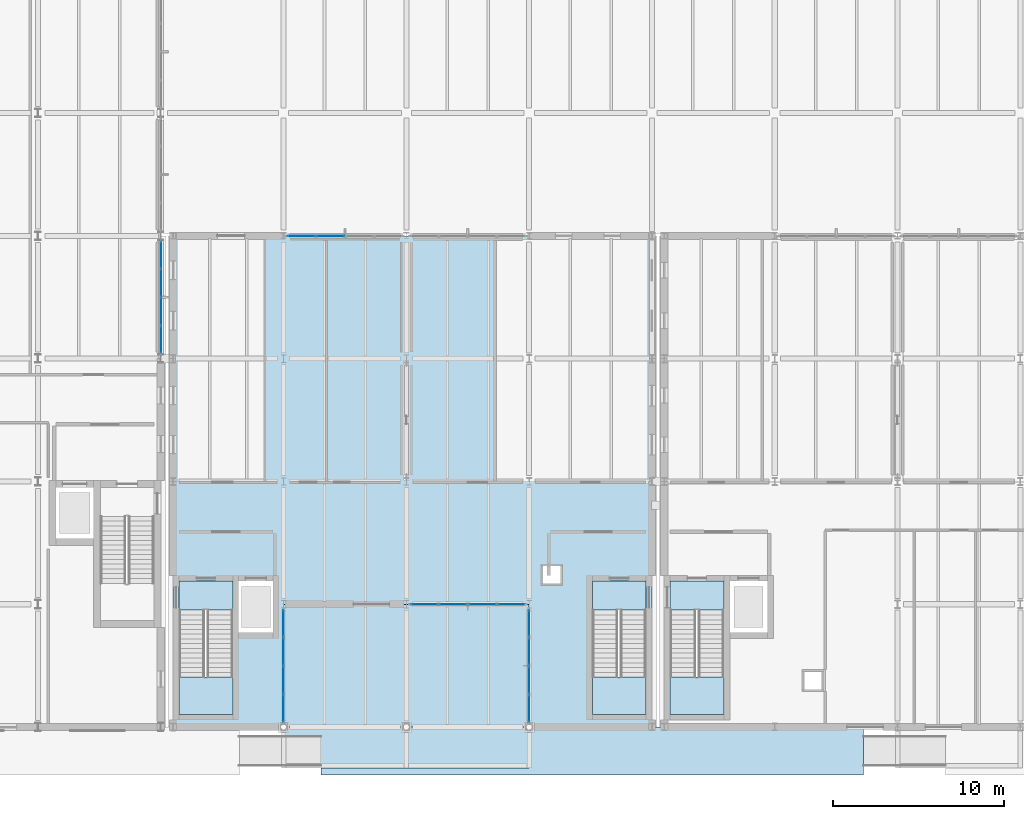
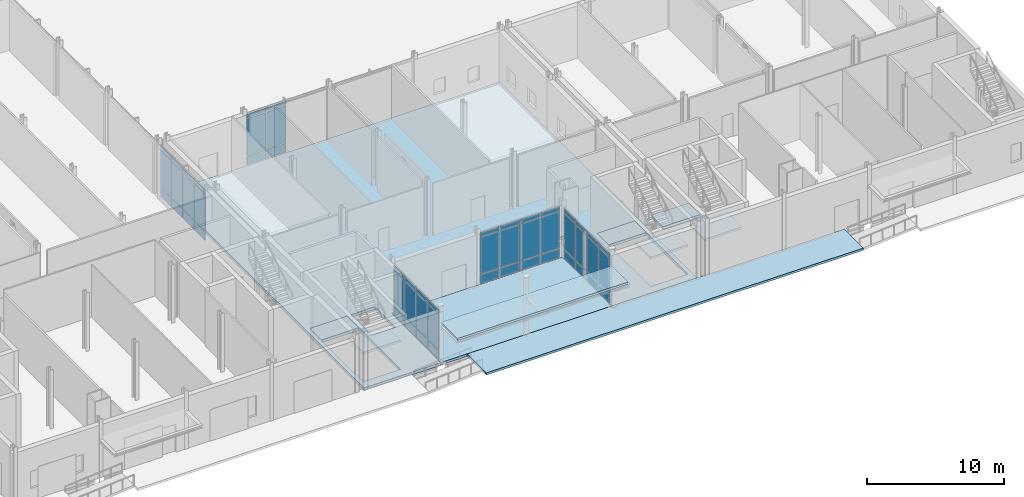
# One storey, part 40 of 89: 54 plates, 10 slabs, 8 elements without a shape of their own.
"""IFC4 building model written with IfcOpenShell, lengths in metres."""

from ifc_helpers import new_model, si_unit, direction, frame, origin, origin_2d, place, context, subcontext, project, spatial, polyline, rectangle, outline, extrude, material, layer, layer_set, type_object, element, aggregate, save


model = new_model("IFC4")

# Units and contexts
model_context = context("Model", 3, precision=1e-05, world=origin(), true_north=direction((0.0, 1.0)))
body_context = subcontext(model_context, "Body", "Model", "MODEL_VIEW")
ifc_project = project(units=[si_unit("LENGTHUNIT", "METRE"), si_unit("AREAUNIT", "SQUARE_METRE"), si_unit("VOLUMEUNIT", "CUBIC_METRE"), si_unit("PLANEANGLEUNIT", "RADIAN"), si_unit("MASSUNIT", "GRAM", prefix="KILO")], contexts=[model_context])

# Site, building, storey
site_placement = place(None, origin())
site = spatial("IfcSite", under=ifc_project, at=site_placement, CompositionType="ELEMENT")
building_placement = place(site_placement, origin())
building = spatial("IfcBuilding", under=site, at=building_placement, Name="Zarrinpeak Specialist Clinic", CompositionType="ELEMENT")
storey_placement = place(building_placement, origin())
storey = spatial("IfcBuildingStorey", under=building, at=storey_placement, Name="L00", CompositionType="ELEMENT", Elevation=0.0)

# Slab
ifc_material_1 = material(Name="Steel S355", Category="steel")
ifc_layer_1 = layer(ifc_material_1, 0.199951171875)
ifc_layer_set_1 = layer_set([ifc_layer_1], Name="Steel S355")
slab_type_1 = type_object("IfcSlabType", Name="CAN-ENT", PredefinedType="ROOF", material=ifc_layer_set_1)
slab_1_placement = place(storey_placement, frame((0.0, 0.0, 3.39990234375)))
element("IfcSlab", 1, at=slab_1_placement, inside=storey, type_object=slab_type_1, Name="V2 Promenade Arrival Loggia Forecourt Canopy", PredefinedType="ROOF", context=body_context, shape_type="SweptSolid", body=[
    extrude(outline(polyline([(36.0, -2.39990234375), (50.39990234375, -2.39990234375), (50.39990234375, 0.0), (36.0, 0.0), (36.0, -2.39990234375)])), origin(), (0.0, 0.0, 1.0), 0.2001953125),
])

# Curtain wall, plates
ifc_material_2 = material(Name="Anodised Aluminium Alloy 6063-T6", Category="aluminium")
ifc_layer_2 = layer(ifc_material_2, 0.179931640625)
ifc_layer_set_2 = layer_set([ifc_layer_2], Name="Anodised Aluminium Alloy 6063-T6")
curtain_wall_type_1 = type_object("IfcCurtainWallType", Name="CW-COURT", PredefinedType="NOTDEFINED", material=ifc_layer_set_2)
curtain_wall_1_placement = place(storey_placement, origin())
curtain_wall_1 = element("IfcCurtainWall", 2, at=curtain_wall_1_placement, inside=storey, type_object=curtain_wall_type_1, Name="L00 V1 Unitised Curtain Wall CW-L00-V1-003", PredefinedType="NOTDEFINED")
ifc_material_3 = material(Name="Double Low-E Insulated Glazing", Category="glass")
ifc_layer_3 = layer(ifc_material_3, 0.028076171875)
ifc_layer_set_3 = layer_set([ifc_layer_3], Name="Double Low-E Insulated Glazing")
plate_type = type_object("IfcPlateType", Name="CWP-GLZ28", PredefinedType="CURTAIN_PANEL", material=ifc_layer_set_3)
plate_1_placement = place(storey_placement, frame((28.800048828125, 22.72509765625, 0.074951171875), z_axis=(0.0, 0.0, 1.0), x_axis=(0.0, 1.0, 0.0)))
plate_1 = element("IfcPlate", 3, at=plate_1_placement, type_object=plate_type, Name="CW-01 panel 1.1", PredefinedType="CURTAIN_PANEL", context=body_context, shape_type="SweptSolid", body=[
    extrude(rectangle(XDim=1.550048828125, YDim=0.028076171875, at=origin_2d()), origin(), (0.0, 0.0, 1.0), 0.78759765625),
])
plate_2_placement = place(storey_placement, frame((28.800048828125, 22.72509765625, 0.9375), z_axis=(0.0, 0.0, 1.0), x_axis=(0.0, 1.0, 0.0)))
plate_2 = element("IfcPlate", 4, at=plate_2_placement, type_object=plate_type, Name="CW-01 panel 1.2", PredefinedType="CURTAIN_PANEL", context=body_context, shape_type="SweptSolid", body=[
    extrude(rectangle(XDim=1.550048828125, YDim=0.028076171875, at=origin_2d()), origin(), (0.0, 0.0, 1.0), 3.239990234375),
])
plate_3_placement = place(storey_placement, frame((28.800048828125, 22.72509765625, 4.25244140625), z_axis=(0.0, 0.0, 1.0), x_axis=(0.0, 1.0, 0.0)))
plate_3 = element("IfcPlate", 5, at=plate_3_placement, type_object=plate_type, Name="CW-01 panel 1.3", PredefinedType="CURTAIN_PANEL", context=body_context, shape_type="SweptSolid", body=[
    extrude(rectangle(XDim=1.550048828125, YDim=0.028076171875, at=origin_2d()), origin(), (0.0, 0.0, 1.0), 0.33740234375),
])
plate_4_placement = place(storey_placement, frame((28.800048828125, 24.36865234375, 0.074951171875), z_axis=(0.0, 0.0, 1.0), x_axis=(0.0, 1.0, 0.0)))
plate_4 = element("IfcPlate", 6, at=plate_4_placement, type_object=plate_type, Name="CW-01 panel 2.1", PredefinedType="CURTAIN_PANEL", context=body_context, shape_type="SweptSolid", body=[
    extrude(rectangle(XDim=1.58740234375, YDim=0.028076171875, at=origin_2d()), origin(), (0.0, 0.0, 1.0), 0.78759765625),
])
plate_5_placement = place(storey_placement, frame((28.800048828125, 24.36865234375, 0.9375), z_axis=(0.0, 0.0, 1.0), x_axis=(0.0, 1.0, 0.0)))
plate_5 = element("IfcPlate", 7, at=plate_5_placement, type_object=plate_type, Name="CW-01 panel 2.2", PredefinedType="CURTAIN_PANEL", context=body_context, shape_type="SweptSolid", body=[
    extrude(rectangle(XDim=1.58740234375, YDim=0.028076171875, at=origin_2d()), origin(), (0.0, 0.0, 1.0), 3.239990234375),
])
plate_6_placement = place(storey_placement, frame((28.800048828125, 24.36865234375, 4.25244140625), z_axis=(0.0, 0.0, 1.0), x_axis=(0.0, 1.0, 0.0)))
plate_6 = element("IfcPlate", 8, at=plate_6_placement, type_object=plate_type, Name="CW-01 panel 2.3", PredefinedType="CURTAIN_PANEL", context=body_context, shape_type="SweptSolid", body=[
    extrude(rectangle(XDim=1.58740234375, YDim=0.028076171875, at=origin_2d()), origin(), (0.0, 0.0, 1.0), 0.33740234375),
])
plate_7_placement = place(storey_placement, frame((28.800048828125, 26.03125, 0.074951171875), z_axis=(0.0, 0.0, 1.0), x_axis=(0.0, 1.0, 0.0)))
plate_7 = element("IfcPlate", 9, at=plate_7_placement, type_object=plate_type, Name="CW-01 panel 3.1", PredefinedType="CURTAIN_PANEL", context=body_context, shape_type="SweptSolid", body=[
    extrude(rectangle(XDim=1.58740234375, YDim=0.028076171875, at=origin_2d()), origin(), (0.0, 0.0, 1.0), 0.78759765625),
])
plate_8_placement = place(storey_placement, frame((28.800048828125, 26.03125, 0.9375), z_axis=(0.0, 0.0, 1.0), x_axis=(0.0, 1.0, 0.0)))
plate_8 = element("IfcPlate", 10, at=plate_8_placement, type_object=plate_type, Name="CW-01 panel 3.2", PredefinedType="CURTAIN_PANEL", context=body_context, shape_type="SweptSolid", body=[
    extrude(rectangle(XDim=1.58740234375, YDim=0.028076171875, at=origin_2d()), origin(), (0.0, 0.0, 1.0), 3.239990234375),
])
plate_9_placement = place(storey_placement, frame((28.800048828125, 26.03125, 4.25244140625), z_axis=(0.0, 0.0, 1.0), x_axis=(0.0, 1.0, 0.0)))
plate_9 = element("IfcPlate", 11, at=plate_9_placement, type_object=plate_type, Name="CW-01 panel 3.3", PredefinedType="CURTAIN_PANEL", context=body_context, shape_type="SweptSolid", body=[
    extrude(rectangle(XDim=1.58740234375, YDim=0.028076171875, at=origin_2d()), origin(), (0.0, 0.0, 1.0), 0.33740234375),
])
plate_10_placement = place(storey_placement, frame((28.800048828125, 27.675048828125, 0.074951171875), z_axis=(0.0, 0.0, 1.0), x_axis=(0.0, 1.0, 0.0)))
plate_10 = element("IfcPlate", 12, at=plate_10_placement, type_object=plate_type, Name="CW-01 panel 4.1", PredefinedType="CURTAIN_PANEL", context=body_context, shape_type="SweptSolid", body=[
    extrude(rectangle(XDim=1.550048828125, YDim=0.028076171875, at=origin_2d()), origin(), (0.0, 0.0, 1.0), 0.78759765625),
])
plate_11_placement = place(storey_placement, frame((28.800048828125, 27.675048828125, 0.9375), z_axis=(0.0, 0.0, 1.0), x_axis=(0.0, 1.0, 0.0)))
plate_11 = element("IfcPlate", 13, at=plate_11_placement, type_object=plate_type, Name="CW-01 panel 4.2", PredefinedType="CURTAIN_PANEL", context=body_context, shape_type="SweptSolid", body=[
    extrude(rectangle(XDim=1.550048828125, YDim=0.028076171875, at=origin_2d()), origin(), (0.0, 0.0, 1.0), 3.239990234375),
])
plate_12_placement = place(storey_placement, frame((28.800048828125, 27.675048828125, 4.25244140625), z_axis=(0.0, 0.0, 1.0), x_axis=(0.0, 1.0, 0.0)))
plate_12 = element("IfcPlate", 14, at=plate_12_placement, type_object=plate_type, Name="CW-01 panel 4.3", PredefinedType="CURTAIN_PANEL", context=body_context, shape_type="SweptSolid", body=[
    extrude(rectangle(XDim=1.550048828125, YDim=0.028076171875, at=origin_2d()), origin(), (0.0, 0.0, 1.0), 0.33740234375),
])
aggregate(curtain_wall_1, [plate_1, plate_2, plate_3, plate_4, plate_5, plate_6, plate_7, plate_8, plate_9, plate_10, plate_11, plate_12])

ifc_layer_4 = layer(ifc_material_2, 0.18994140625)
ifc_layer_set_4 = layer_set([ifc_layer_4], Name="Anodised Aluminium Alloy 6063-T6")
curtain_wall_type_2 = type_object("IfcCurtainWallType", Name="CW-LOGGIA", PredefinedType="NOTDEFINED", material=ifc_layer_set_4)
curtain_wall_2_placement = place(storey_placement, origin())
curtain_wall_2 = element("IfcCurtainWall", 15, at=curtain_wall_2_placement, inside=storey, type_object=curtain_wall_type_2, Name="L00 V2 Unitised Curtain Wall CW-L00-V2-040", PredefinedType="NOTDEFINED")
plate_13_placement = place(storey_placement, frame((44.253662109375, 7.199951171875, 0.08984375), z_axis=(0.0, 0.0, 1.0), x_axis=(1.0, 0.0, 0.0)))
plate_13 = element("IfcPlate", 16, at=plate_13_placement, type_object=plate_type, Name="CW-04 panel 1.1", PredefinedType="CURTAIN_PANEL", context=body_context, shape_type="SweptSolid", body=[
    extrude(rectangle(XDim=1.577392578125, YDim=0.028076171875, at=origin_2d()), origin(), (0.0, 0.0, 1.0), 0.764892578125),
])
plate_14_placement = place(storey_placement, frame((44.253662109375, 7.199951171875, 0.945068359375), z_axis=(0.0, 0.0, 1.0), x_axis=(1.0, 0.0, 0.0)))
plate_14 = element("IfcPlate", 17, at=plate_14_placement, type_object=plate_type, Name="CW-04 panel 1.2", PredefinedType="CURTAIN_PANEL", context=body_context, shape_type="SweptSolid", body=[
    extrude(rectangle(XDim=1.577392578125, YDim=0.028076171875, at=origin_2d()), origin(), (0.0, 0.0, 1.0), 3.22509765625),
])
plate_15_placement = place(storey_placement, frame((44.253662109375, 7.199951171875, 4.260009765625), z_axis=(0.0, 0.0, 1.0), x_axis=(1.0, 0.0, 0.0)))
plate_15 = element("IfcPlate", 18, at=plate_15_placement, type_object=plate_type, Name="CW-04 panel 1.3", PredefinedType="CURTAIN_PANEL", context=body_context, shape_type="SweptSolid", body=[
    extrude(rectangle(XDim=1.577392578125, YDim=0.028076171875, at=origin_2d()), origin(), (0.0, 0.0, 1.0), 0.31494140625),
])
plate_16_placement = place(storey_placement, frame((45.94384765625, 7.199951171875, 0.08984375), z_axis=(0.0, 0.0, 1.0), x_axis=(1.0, 0.0, 0.0)))
plate_16 = element("IfcPlate", 19, at=plate_16_placement, type_object=plate_type, Name="CW-04 panel 2.1", PredefinedType="CURTAIN_PANEL", context=body_context, shape_type="SweptSolid", body=[
    extrude(rectangle(XDim=1.62255859375, YDim=0.028076171875, at=origin_2d()), origin(), (0.0, 0.0, 1.0), 0.764892578125),
])
plate_17_placement = place(storey_placement, frame((45.94384765625, 7.199951171875, 0.945068359375), z_axis=(0.0, 0.0, 1.0), x_axis=(1.0, 0.0, 0.0)))
plate_17 = element("IfcPlate", 20, at=plate_17_placement, type_object=plate_type, Name="CW-04 panel 2.2", PredefinedType="CURTAIN_PANEL", context=body_context, shape_type="SweptSolid", body=[
    extrude(rectangle(XDim=1.62255859375, YDim=0.028076171875, at=origin_2d()), origin(), (0.0, 0.0, 1.0), 3.22509765625),
])
plate_18_placement = place(storey_placement, frame((45.94384765625, 7.199951171875, 4.260009765625), z_axis=(0.0, 0.0, 1.0), x_axis=(1.0, 0.0, 0.0)))
plate_18 = element("IfcPlate", 21, at=plate_18_placement, type_object=plate_type, Name="CW-04 panel 2.3", PredefinedType="CURTAIN_PANEL", context=body_context, shape_type="SweptSolid", body=[
    extrude(rectangle(XDim=1.62255859375, YDim=0.028076171875, at=origin_2d()), origin(), (0.0, 0.0, 1.0), 0.31494140625),
])
plate_19_placement = place(storey_placement, frame((47.65625, 7.199951171875, 0.08984375), z_axis=(0.0, 0.0, 1.0), x_axis=(1.0, 0.0, 0.0)))
plate_19 = element("IfcPlate", 22, at=plate_19_placement, type_object=plate_type, Name="CW-04 panel 3.1", PredefinedType="CURTAIN_PANEL", context=body_context, shape_type="SweptSolid", body=[
    extrude(rectangle(XDim=1.62255859375, YDim=0.028076171875, at=origin_2d()), origin(), (0.0, 0.0, 1.0), 0.764892578125),
])
plate_20_placement = place(storey_placement, frame((47.65625, 7.199951171875, 0.945068359375), z_axis=(0.0, 0.0, 1.0), x_axis=(1.0, 0.0, 0.0)))
plate_20 = element("IfcPlate", 23, at=plate_20_placement, type_object=plate_type, Name="CW-04 panel 3.2", PredefinedType="CURTAIN_PANEL", context=body_context, shape_type="SweptSolid", body=[
    extrude(rectangle(XDim=1.62255859375, YDim=0.028076171875, at=origin_2d()), origin(), (0.0, 0.0, 1.0), 3.22509765625),
])
plate_21_placement = place(storey_placement, frame((47.65625, 7.199951171875, 4.260009765625), z_axis=(0.0, 0.0, 1.0), x_axis=(1.0, 0.0, 0.0)))
plate_21 = element("IfcPlate", 24, at=plate_21_placement, type_object=plate_type, Name="CW-04 panel 3.3", PredefinedType="CURTAIN_PANEL", context=body_context, shape_type="SweptSolid", body=[
    extrude(rectangle(XDim=1.62255859375, YDim=0.028076171875, at=origin_2d()), origin(), (0.0, 0.0, 1.0), 0.31494140625),
])
plate_22_placement = place(storey_placement, frame((49.34619140625, 7.199951171875, 0.08984375), z_axis=(0.0, 0.0, 1.0), x_axis=(1.0, 0.0, 0.0)))
plate_22 = element("IfcPlate", 25, at=plate_22_placement, type_object=plate_type, Name="CW-04 panel 4.1", PredefinedType="CURTAIN_PANEL", context=body_context, shape_type="SweptSolid", body=[
    extrude(rectangle(XDim=1.577392578125, YDim=0.028076171875, at=origin_2d()), origin(), (0.0, 0.0, 1.0), 0.764892578125),
])
plate_23_placement = place(storey_placement, frame((49.34619140625, 7.199951171875, 0.945068359375), z_axis=(0.0, 0.0, 1.0), x_axis=(1.0, 0.0, 0.0)))
plate_23 = element("IfcPlate", 26, at=plate_23_placement, type_object=plate_type, Name="CW-04 panel 4.2", PredefinedType="CURTAIN_PANEL", context=body_context, shape_type="SweptSolid", body=[
    extrude(rectangle(XDim=1.577392578125, YDim=0.028076171875, at=origin_2d()), origin(), (0.0, 0.0, 1.0), 3.22509765625),
])
plate_24_placement = place(storey_placement, frame((49.34619140625, 7.199951171875, 4.260009765625), z_axis=(0.0, 0.0, 1.0), x_axis=(1.0, 0.0, 0.0)))
plate_24 = element("IfcPlate", 27, at=plate_24_placement, type_object=plate_type, Name="CW-04 panel 4.3", PredefinedType="CURTAIN_PANEL", context=body_context, shape_type="SweptSolid", body=[
    extrude(rectangle(XDim=1.577392578125, YDim=0.028076171875, at=origin_2d()), origin(), (0.0, 0.0, 1.0), 0.31494140625),
])
aggregate(curtain_wall_2, [plate_13, plate_14, plate_15, plate_16, plate_17, plate_18, plate_19, plate_20, plate_21, plate_22, plate_23, plate_24])

curtain_wall_3_placement = place(storey_placement, origin())
curtain_wall_3 = element("IfcCurtainWall", 28, at=curtain_wall_3_placement, inside=storey, type_object=curtain_wall_type_2, Name="L00 V2 Unitised Curtain Wall CW-L00-V2-041", PredefinedType="NOTDEFINED")
plate_25_placement = place(storey_placement, frame((36.0, 1.0908203125, 0.08984375), z_axis=(0.0, 0.0, 1.0), x_axis=(0.0, 1.0, 0.0)))
plate_25 = element("IfcPlate", 29, at=plate_25_placement, type_object=plate_type, Name="CW-04 panel 1.1", PredefinedType="CURTAIN_PANEL", context=body_context, shape_type="SweptSolid", body=[
    extrude(rectangle(XDim=1.54541015625, YDim=0.028076171875, at=origin_2d()), origin(), (0.0, 0.0, 1.0), 0.764892578125),
])
plate_26_placement = place(storey_placement, frame((36.0, 1.0908203125, 0.94482421875), z_axis=(0.0, 0.0, 1.0), x_axis=(0.0, 1.0, 0.0)))
plate_26 = element("IfcPlate", 30, at=plate_26_placement, type_object=plate_type, Name="CW-04 panel 1.2", PredefinedType="CURTAIN_PANEL", context=body_context, shape_type="SweptSolid", body=[
    extrude(rectangle(XDim=1.54541015625, YDim=0.028076171875, at=origin_2d()), origin(), (0.0, 0.0, 1.0), 3.155029296875),
])
plate_27_placement = place(storey_placement, frame((36.0, 1.0908203125, 4.18994140625), z_axis=(0.0, 0.0, 1.0), x_axis=(0.0, 1.0, 0.0)))
plate_27 = element("IfcPlate", 31, at=plate_27_placement, type_object=plate_type, Name="CW-04 panel 1.3", PredefinedType="CURTAIN_PANEL", context=body_context, shape_type="SweptSolid", body=[
    extrude(rectangle(XDim=1.54541015625, YDim=0.028076171875, at=origin_2d()), origin(), (0.0, 0.0, 1.0), 0.31494140625),
])
plate_28_placement = place(storey_placement, frame((36.0, 2.748779296875, 0.08984375), z_axis=(0.0, 0.0, 1.0), x_axis=(0.0, 1.0, 0.0)))
plate_28 = element("IfcPlate", 32, at=plate_28_placement, type_object=plate_type, Name="CW-04 panel 2.1", PredefinedType="CURTAIN_PANEL", context=body_context, shape_type="SweptSolid", body=[
    extrude(rectangle(XDim=1.59033203125, YDim=0.028076171875, at=origin_2d()), origin(), (0.0, 0.0, 1.0), 0.764892578125),
])
plate_29_placement = place(storey_placement, frame((36.0, 2.748779296875, 0.94482421875), z_axis=(0.0, 0.0, 1.0), x_axis=(0.0, 1.0, 0.0)))
plate_29 = element("IfcPlate", 33, at=plate_29_placement, type_object=plate_type, Name="CW-04 panel 2.2", PredefinedType="CURTAIN_PANEL", context=body_context, shape_type="SweptSolid", body=[
    extrude(rectangle(XDim=1.59033203125, YDim=0.028076171875, at=origin_2d()), origin(), (0.0, 0.0, 1.0), 3.155029296875),
])
plate_30_placement = place(storey_placement, frame((36.0, 2.748779296875, 4.18994140625), z_axis=(0.0, 0.0, 1.0), x_axis=(0.0, 1.0, 0.0)))
plate_30 = element("IfcPlate", 34, at=plate_30_placement, type_object=plate_type, Name="CW-04 panel 2.3", PredefinedType="CURTAIN_PANEL", context=body_context, shape_type="SweptSolid", body=[
    extrude(rectangle(XDim=1.59033203125, YDim=0.028076171875, at=origin_2d()), origin(), (0.0, 0.0, 1.0), 0.31494140625),
])
plate_31_placement = place(storey_placement, frame((36.0, 4.429443359375, 0.08984375), z_axis=(0.0, 0.0, 1.0), x_axis=(0.0, 1.0, 0.0)))
plate_31 = element("IfcPlate", 35, at=plate_31_placement, type_object=plate_type, Name="CW-04 panel 3.1", PredefinedType="CURTAIN_PANEL", context=body_context, shape_type="SweptSolid", body=[
    extrude(rectangle(XDim=1.59033203125, YDim=0.028076171875, at=origin_2d()), origin(), (0.0, 0.0, 1.0), 0.764892578125),
])
plate_32_placement = place(storey_placement, frame((36.0, 4.429443359375, 0.94482421875), z_axis=(0.0, 0.0, 1.0), x_axis=(0.0, 1.0, 0.0)))
plate_32 = element("IfcPlate", 36, at=plate_32_placement, type_object=plate_type, Name="CW-04 panel 3.2", PredefinedType="CURTAIN_PANEL", context=body_context, shape_type="SweptSolid", body=[
    extrude(rectangle(XDim=1.59033203125, YDim=0.028076171875, at=origin_2d()), origin(), (0.0, 0.0, 1.0), 3.155029296875),
])
plate_33_placement = place(storey_placement, frame((36.0, 4.429443359375, 4.18994140625), z_axis=(0.0, 0.0, 1.0), x_axis=(0.0, 1.0, 0.0)))
plate_33 = element("IfcPlate", 37, at=plate_33_placement, type_object=plate_type, Name="CW-04 panel 3.3", PredefinedType="CURTAIN_PANEL", context=body_context, shape_type="SweptSolid", body=[
    extrude(rectangle(XDim=1.59033203125, YDim=0.028076171875, at=origin_2d()), origin(), (0.0, 0.0, 1.0), 0.31494140625),
])
plate_34_placement = place(storey_placement, frame((36.0, 6.087158203125, 0.08984375), z_axis=(0.0, 0.0, 1.0), x_axis=(0.0, 1.0, 0.0)))
plate_34 = element("IfcPlate", 38, at=plate_34_placement, type_object=plate_type, Name="CW-04 panel 4.1", PredefinedType="CURTAIN_PANEL", context=body_context, shape_type="SweptSolid", body=[
    extrude(rectangle(XDim=1.54541015625, YDim=0.028076171875, at=origin_2d()), origin(), (0.0, 0.0, 1.0), 0.764892578125),
])
plate_35_placement = place(storey_placement, frame((36.0, 6.087158203125, 0.94482421875), z_axis=(0.0, 0.0, 1.0), x_axis=(0.0, 1.0, 0.0)))
plate_35 = element("IfcPlate", 39, at=plate_35_placement, type_object=plate_type, Name="CW-04 panel 4.2", PredefinedType="CURTAIN_PANEL", context=body_context, shape_type="SweptSolid", body=[
    extrude(rectangle(XDim=1.54541015625, YDim=0.028076171875, at=origin_2d()), origin(), (0.0, 0.0, 1.0), 3.155029296875),
])
plate_36_placement = place(storey_placement, frame((36.0, 6.087158203125, 4.18994140625), z_axis=(0.0, 0.0, 1.0), x_axis=(0.0, 1.0, 0.0)))
plate_36 = element("IfcPlate", 40, at=plate_36_placement, type_object=plate_type, Name="CW-04 panel 4.3", PredefinedType="CURTAIN_PANEL", context=body_context, shape_type="SweptSolid", body=[
    extrude(rectangle(XDim=1.54541015625, YDim=0.028076171875, at=origin_2d()), origin(), (0.0, 0.0, 1.0), 0.31494140625),
])
aggregate(curtain_wall_3, [plate_25, plate_26, plate_27, plate_28, plate_29, plate_30, plate_31, plate_32, plate_33, plate_34, plate_35, plate_36])

curtain_wall_4_placement = place(storey_placement, origin())
curtain_wall_4 = element("IfcCurtainWall", 41, at=curtain_wall_4_placement, inside=storey, type_object=curtain_wall_type_2, Name="L00 V2 Unitised Curtain Wall CW-L00-V2-042", PredefinedType="NOTDEFINED")
plate_37_placement = place(storey_placement, frame((50.39990234375, 6.087158203125, 0.08984375), z_axis=(0.0, 0.0, 1.0), x_axis=(0.0, -1.0, 0.0)))
plate_37 = element("IfcPlate", 42, at=plate_37_placement, type_object=plate_type, Name="CW-04 panel 1.1", PredefinedType="CURTAIN_PANEL", context=body_context, shape_type="SweptSolid", body=[
    extrude(rectangle(XDim=1.54541015625, YDim=0.028076171875, at=origin_2d()), origin(), (0.0, 0.0, 1.0), 0.764892578125),
])
plate_38_placement = place(storey_placement, frame((50.39990234375, 6.087158203125, 0.94482421875), z_axis=(0.0, 0.0, 1.0), x_axis=(0.0, -1.0, 0.0)))
plate_38 = element("IfcPlate", 43, at=plate_38_placement, type_object=plate_type, Name="CW-04 panel 1.2", PredefinedType="CURTAIN_PANEL", context=body_context, shape_type="SweptSolid", body=[
    extrude(rectangle(XDim=1.54541015625, YDim=0.028076171875, at=origin_2d()), origin(), (0.0, 0.0, 1.0), 3.155029296875),
])
plate_39_placement = place(storey_placement, frame((50.39990234375, 6.087158203125, 4.18994140625), z_axis=(0.0, 0.0, 1.0), x_axis=(0.0, -1.0, 0.0)))
plate_39 = element("IfcPlate", 44, at=plate_39_placement, type_object=plate_type, Name="CW-04 panel 1.3", PredefinedType="CURTAIN_PANEL", context=body_context, shape_type="SweptSolid", body=[
    extrude(rectangle(XDim=1.54541015625, YDim=0.028076171875, at=origin_2d()), origin(), (0.0, 0.0, 1.0), 0.31494140625),
])
plate_40_placement = place(storey_placement, frame((50.39990234375, 4.429443359375, 0.08984375), z_axis=(0.0, 0.0, 1.0), x_axis=(0.0, -1.0, 0.0)))
plate_40 = element("IfcPlate", 45, at=plate_40_placement, type_object=plate_type, Name="CW-04 panel 2.1", PredefinedType="CURTAIN_PANEL", context=body_context, shape_type="SweptSolid", body=[
    extrude(rectangle(XDim=1.59033203125, YDim=0.028076171875, at=origin_2d()), origin(), (0.0, 0.0, 1.0), 0.764892578125),
])
plate_41_placement = place(storey_placement, frame((50.39990234375, 4.429443359375, 0.94482421875), z_axis=(0.0, 0.0, 1.0), x_axis=(0.0, -1.0, 0.0)))
plate_41 = element("IfcPlate", 46, at=plate_41_placement, type_object=plate_type, Name="CW-04 panel 2.2", PredefinedType="CURTAIN_PANEL", context=body_context, shape_type="SweptSolid", body=[
    extrude(rectangle(XDim=1.59033203125, YDim=0.028076171875, at=origin_2d()), origin(), (0.0, 0.0, 1.0), 3.155029296875),
])
plate_42_placement = place(storey_placement, frame((50.39990234375, 4.429443359375, 4.18994140625), z_axis=(0.0, 0.0, 1.0), x_axis=(0.0, -1.0, 0.0)))
plate_42 = element("IfcPlate", 47, at=plate_42_placement, type_object=plate_type, Name="CW-04 panel 2.3", PredefinedType="CURTAIN_PANEL", context=body_context, shape_type="SweptSolid", body=[
    extrude(rectangle(XDim=1.59033203125, YDim=0.028076171875, at=origin_2d()), origin(), (0.0, 0.0, 1.0), 0.31494140625),
])
plate_43_placement = place(storey_placement, frame((50.39990234375, 2.748779296875, 0.08984375), z_axis=(0.0, 0.0, 1.0), x_axis=(0.0, -1.0, 0.0)))
plate_43 = element("IfcPlate", 48, at=plate_43_placement, type_object=plate_type, Name="CW-04 panel 3.1", PredefinedType="CURTAIN_PANEL", context=body_context, shape_type="SweptSolid", body=[
    extrude(rectangle(XDim=1.59033203125, YDim=0.028076171875, at=origin_2d()), origin(), (0.0, 0.0, 1.0), 0.764892578125),
])
plate_44_placement = place(storey_placement, frame((50.39990234375, 2.748779296875, 0.94482421875), z_axis=(0.0, 0.0, 1.0), x_axis=(0.0, -1.0, 0.0)))
plate_44 = element("IfcPlate", 49, at=plate_44_placement, type_object=plate_type, Name="CW-04 panel 3.2", PredefinedType="CURTAIN_PANEL", context=body_context, shape_type="SweptSolid", body=[
    extrude(rectangle(XDim=1.59033203125, YDim=0.028076171875, at=origin_2d()), origin(), (0.0, 0.0, 1.0), 3.155029296875),
])
plate_45_placement = place(storey_placement, frame((50.39990234375, 2.748779296875, 4.18994140625), z_axis=(0.0, 0.0, 1.0), x_axis=(0.0, -1.0, 0.0)))
plate_45 = element("IfcPlate", 50, at=plate_45_placement, type_object=plate_type, Name="CW-04 panel 3.3", PredefinedType="CURTAIN_PANEL", context=body_context, shape_type="SweptSolid", body=[
    extrude(rectangle(XDim=1.59033203125, YDim=0.028076171875, at=origin_2d()), origin(), (0.0, 0.0, 1.0), 0.31494140625),
])
plate_46_placement = place(storey_placement, frame((50.39990234375, 1.0908203125, 0.08984375), z_axis=(0.0, 0.0, 1.0), x_axis=(0.0, -1.0, 0.0)))
plate_46 = element("IfcPlate", 51, at=plate_46_placement, type_object=plate_type, Name="CW-04 panel 4.1", PredefinedType="CURTAIN_PANEL", context=body_context, shape_type="SweptSolid", body=[
    extrude(rectangle(XDim=1.54541015625, YDim=0.028076171875, at=origin_2d()), origin(), (0.0, 0.0, 1.0), 0.764892578125),
])
plate_47_placement = place(storey_placement, frame((50.39990234375, 1.0908203125, 0.94482421875), z_axis=(0.0, 0.0, 1.0), x_axis=(0.0, -1.0, 0.0)))
plate_47 = element("IfcPlate", 52, at=plate_47_placement, type_object=plate_type, Name="CW-04 panel 4.2", PredefinedType="CURTAIN_PANEL", context=body_context, shape_type="SweptSolid", body=[
    extrude(rectangle(XDim=1.54541015625, YDim=0.028076171875, at=origin_2d()), origin(), (0.0, 0.0, 1.0), 3.155029296875),
])
plate_48_placement = place(storey_placement, frame((50.39990234375, 1.0908203125, 4.18994140625), z_axis=(0.0, 0.0, 1.0), x_axis=(0.0, -1.0, 0.0)))
plate_48 = element("IfcPlate", 53, at=plate_48_placement, type_object=plate_type, Name="CW-04 panel 4.3", PredefinedType="CURTAIN_PANEL", context=body_context, shape_type="SweptSolid", body=[
    extrude(rectangle(XDim=1.54541015625, YDim=0.028076171875, at=origin_2d()), origin(), (0.0, 0.0, 1.0), 0.31494140625),
])
aggregate(curtain_wall_4, [plate_37, plate_38, plate_39, plate_40, plate_41, plate_42, plate_43, plate_44, plate_45, plate_46, plate_47, plate_48])

curtain_wall_5_placement = place(storey_placement, origin())
curtain_wall_5 = element("IfcCurtainWall", 54, at=curtain_wall_5_placement, inside=storey, type_object=curtain_wall_type_1, Name="L00 V2 Unitised Curtain Wall CW-L00-V2-043", PredefinedType="NOTDEFINED")
plate_49_placement = place(storey_placement, frame((38.74365234375, 28.800048828125, 0.074951171875), z_axis=(0.0, 0.0, 1.0), x_axis=(-1.0, 0.0, 0.0)))
plate_49 = element("IfcPlate", 55, at=plate_49_placement, type_object=plate_type, Name="CW-01 panel 3.1", PredefinedType="CURTAIN_PANEL", context=body_context, shape_type="SweptSolid", body=[
    extrude(rectangle(XDim=1.637451171875, YDim=0.028076171875, at=origin_2d()), origin(), (0.0, 0.0, 1.0), 0.78759765625),
])
plate_50_placement = place(storey_placement, frame((38.74365234375, 28.800048828125, 0.9375), z_axis=(0.0, 0.0, 1.0), x_axis=(-1.0, 0.0, 0.0)))
plate_50 = element("IfcPlate", 56, at=plate_50_placement, type_object=plate_type, Name="CW-01 panel 3.2", PredefinedType="CURTAIN_PANEL", context=body_context, shape_type="SweptSolid", body=[
    extrude(rectangle(XDim=1.637451171875, YDim=0.028076171875, at=origin_2d()), origin(), (0.0, 0.0, 1.0), 3.239990234375),
])
plate_51_placement = place(storey_placement, frame((38.74365234375, 28.800048828125, 4.25244140625), z_axis=(0.0, 0.0, 1.0), x_axis=(-1.0, 0.0, 0.0)))
plate_51 = element("IfcPlate", 57, at=plate_51_placement, type_object=plate_type, Name="CW-01 panel 3.3", PredefinedType="CURTAIN_PANEL", context=body_context, shape_type="SweptSolid", body=[
    extrude(rectangle(XDim=1.637451171875, YDim=0.028076171875, at=origin_2d()), origin(), (0.0, 0.0, 1.0), 0.33740234375),
])
plate_52_placement = place(storey_placement, frame((37.050048828125, 28.800048828125, 0.074951171875), z_axis=(0.0, 0.0, 1.0), x_axis=(-1.0, 0.0, 0.0)))
plate_52 = element("IfcPlate", 58, at=plate_52_placement, type_object=plate_type, Name="CW-01 panel 4.1", PredefinedType="CURTAIN_PANEL", context=body_context, shape_type="SweptSolid", body=[
    extrude(rectangle(XDim=1.60009765625, YDim=0.028076171875, at=origin_2d()), origin(), (0.0, 0.0, 1.0), 0.78759765625),
])
plate_53_placement = place(storey_placement, frame((37.050048828125, 28.800048828125, 0.9375), z_axis=(0.0, 0.0, 1.0), x_axis=(-1.0, 0.0, 0.0)))
plate_53 = element("IfcPlate", 59, at=plate_53_placement, type_object=plate_type, Name="CW-01 panel 4.2", PredefinedType="CURTAIN_PANEL", context=body_context, shape_type="SweptSolid", body=[
    extrude(rectangle(XDim=1.60009765625, YDim=0.028076171875, at=origin_2d()), origin(), (0.0, 0.0, 1.0), 3.239990234375),
])
plate_54_placement = place(storey_placement, frame((37.050048828125, 28.800048828125, 4.25244140625), z_axis=(0.0, 0.0, 1.0), x_axis=(-1.0, 0.0, 0.0)))
plate_54 = element("IfcPlate", 60, at=plate_54_placement, type_object=plate_type, Name="CW-01 panel 4.3", PredefinedType="CURTAIN_PANEL", context=body_context, shape_type="SweptSolid", body=[
    extrude(rectangle(XDim=1.60009765625, YDim=0.028076171875, at=origin_2d()), origin(), (0.0, 0.0, 1.0), 0.33740234375),
])
aggregate(curtain_wall_5, [plate_49, plate_50, plate_51, plate_52, plate_53, plate_54])

# Slabs
ifc_material_4 = material(Name="Concrete C35/45", Category="concrete")
ifc_layer_5 = layer(ifc_material_4, 0.25)
ifc_layer_set_5 = layer_set([ifc_layer_5], Name="Concrete C35/45")
slab_type_2 = type_object("IfcSlabType", Name="SL-FLR250", PredefinedType="FLOOR", material=ifc_layer_set_5)
slab_2_placement = place(storey_placement, frame((0.0, 0.0, -0.25)))
element("IfcSlab", 61, at=slab_2_placement, inside=storey, type_object=slab_type_2, Name="L00 Suspended Clinical Floor Slab V2", PredefinedType="FLOOR", context=body_context, shape_type="SweptSolid", body=[
    extrude(outline(polyline([(29.52001953125, 0.0), (36.0, 0.0), (36.0, 7.199951171875), (50.39990234375, 7.199951171875), (50.39990234375, 0.0), (57.60009765625, 0.0), (57.60009765625, 28.800048828125), (29.52001953125, 28.800048828125), (29.52001953125, 0.0)]), holes=[polyline([(29.8701171875, 0.75), (33.02001953125, 0.75), (33.02001953125, 8.550048828125), (29.8701171875, 8.550048828125), (29.8701171875, 0.75)]), polyline([(33.3701171875, 5.550048828125), (35.3701171875, 5.550048828125), (35.3701171875, 8.550048828125), (33.3701171875, 8.550048828125), (33.3701171875, 5.550048828125)]), polyline([(54.10009765625, 0.75), (57.25, 0.75), (57.25, 8.550048828125), (54.10009765625, 8.550048828125), (54.10009765625, 0.75)]), polyline([(51.199951171875, 8.39990234375), (52.25, 8.39990234375), (52.25, 9.449951171875), (51.199951171875, 9.449951171875), (51.199951171875, 8.39990234375)])]), origin(), (0.0, 0.0, 1.0), 0.25),
])
slab_3_placement = place(storey_placement, frame((0.0, 0.0, -0.25)))
element("IfcSlab", 62, at=slab_3_placement, inside=storey, type_object=slab_type_2, Name="L00 Core C03 Stairwell Floor Landing Slab", PredefinedType="FLOOR", context=body_context, shape_type="SweptSolid", body=[
    extrude(outline(polyline([(29.8701171875, 6.85009765625), (33.02001953125, 6.85009765625), (33.02001953125, 8.550048828125), (29.8701171875, 8.550048828125), (29.8701171875, 6.85009765625)])), origin(), (0.0, 0.0, 1.0), 0.25),
])
slab_4_placement = place(storey_placement, frame((0.0, 0.0, -0.25)))
element("IfcSlab", 63, at=slab_4_placement, inside=storey, type_object=slab_type_2, Name="L00 Core C04 Stairwell Floor Landing Slab", PredefinedType="FLOOR", context=body_context, shape_type="SweptSolid", body=[
    extrude(outline(polyline([(54.10009765625, 6.85009765625), (57.25, 6.85009765625), (57.25, 8.550048828125), (54.10009765625, 8.550048828125), (54.10009765625, 6.85009765625)])), origin(), (0.0, 0.0, 1.0), 0.25),
])
slab_5_placement = place(storey_placement, frame((0.0, 0.0, -0.25)))
element("IfcSlab", 64, at=slab_5_placement, inside=storey, type_object=slab_type_2, Name="L00 Core C07 Stairwell Floor Landing Slab", PredefinedType="FLOOR", context=body_context, shape_type="SweptSolid", body=[
    extrude(outline(polyline([(58.669921875, 6.85009765625), (61.820068359375, 6.85009765625), (61.820068359375, 8.550048828125), (58.669921875, 8.550048828125), (58.669921875, 6.85009765625)])), origin(), (0.0, 0.0, 1.0), 0.25),
])

# Stair, slab
stair_type = type_object("IfcStairType", Name="ST-DOG", PredefinedType="HALF_TURN_STAIR", material=ifc_material_4)
stair_1_placement = place(storey_placement, origin())
stair_1 = element("IfcStair", 65, at=stair_1_placement, inside=storey, type_object=stair_type, Name="L00 Protected Exit Stair ST-03", PredefinedType="HALF_TURN_STAIR")
ifc_layer_6 = layer(ifc_material_4, 0.199951171875)
ifc_layer_set_6 = layer_set([ifc_layer_6], Name="Concrete C35/45")
slab_type_3 = type_object("IfcSlabType", Name="SL-LAND200", PredefinedType="LANDING", material=ifc_layer_set_6)
slab_6_placement = place(storey_placement, frame((0.0, 0.0, 2.39990234375)))
slab_6 = element("IfcSlab", 66, at=slab_6_placement, type_object=slab_type_3, Name="ST-03 landing 1", PredefinedType="LANDING", context=body_context, shape_type="SweptSolid", body=[
    extrude(outline(polyline([(29.8701171875, 2.929931640625), (29.8701171875, 0.75), (33.02001953125, 0.75), (33.02001953125, 2.929931640625), (29.8701171875, 2.929931640625)])), origin(), (0.0, 0.0, 1.0), 0.2001953125),
])
aggregate(stair_1, [slab_6])

stair_2_placement = place(storey_placement, origin())
stair_2 = element("IfcStair", 67, at=stair_2_placement, inside=storey, type_object=stair_type, Name="L00 Protected Exit Stair ST-04", PredefinedType="HALF_TURN_STAIR")
slab_7_placement = place(storey_placement, frame((0.0, 0.0, 2.39990234375)))
slab_7 = element("IfcSlab", 68, at=slab_7_placement, type_object=slab_type_3, Name="ST-04 landing 1", PredefinedType="LANDING", context=body_context, shape_type="SweptSolid", body=[
    extrude(outline(polyline([(54.10009765625, 2.929931640625), (54.10009765625, 0.75), (57.25, 0.75), (57.25, 2.929931640625), (54.10009765625, 2.929931640625)])), origin(), (0.0, 0.0, 1.0), 0.2001953125),
])
aggregate(stair_2, [slab_7])

stair_3_placement = place(storey_placement, origin())
stair_3 = element("IfcStair", 69, at=stair_3_placement, inside=storey, type_object=stair_type, Name="L00 Protected Exit Stair ST-07", PredefinedType="HALF_TURN_STAIR")
slab_8_placement = place(storey_placement, frame((0.0, 0.0, 2.39990234375)))
slab_8 = element("IfcSlab", 70, at=slab_8_placement, type_object=slab_type_3, Name="ST-07 landing 1", PredefinedType="LANDING", context=body_context, shape_type="SweptSolid", body=[
    extrude(outline(polyline([(58.669921875, 2.929931640625), (58.669921875, 0.75), (61.820068359375, 0.75), (61.820068359375, 2.929931640625), (58.669921875, 2.929931640625)])), origin(), (0.0, 0.0, 1.0), 0.2001953125),
])
aggregate(stair_3, [slab_8])

# Slabs
ifc_layer_7 = layer(ifc_material_4, 0.195068359375)
ifc_layer_set_7 = layer_set([ifc_layer_7], Name="Concrete C35/45")
slab_type_4 = type_object("IfcSlabType", Name="SL-TER195", PredefinedType="FLOOR", material=ifc_layer_set_7)
slab_9_placement = place(storey_placement, frame((0.0, 0.0, -0.195068359375)))
element("IfcSlab", 71, at=slab_9_placement, inside=storey, type_object=slab_type_4, Name="L00 Central South Promenade Apron Slab", PredefinedType="FLOOR", context=body_context, shape_type="SweptSolid", body=[
    extrude(outline(polyline([(38.199951171875, -2.800048828125), (70.0, -2.800048828125), (70.0, 0.0), (38.199951171875, 0.0), (38.199951171875, -2.800048828125)])), origin(), (0.0, 0.0, 1.0), 0.195068359375),
])
ifc_layer_8 = layer(ifc_material_4, 0.219970703125)
ifc_layer_set_8 = layer_set([ifc_layer_8], Name="Concrete C35/45")
slab_type_5 = type_object("IfcSlabType", Name="SL-TER220", PredefinedType="FLOOR", material=ifc_layer_set_8)
slab_10_placement = place(storey_placement, frame((0.0, 0.0, -0.219970703125)))
element("IfcSlab", 72, at=slab_10_placement, inside=storey, type_object=slab_type_5, Name="L00 Promenade Arrival Loggia Deck Slab V2", PredefinedType="FLOOR", context=body_context, shape_type="SweptSolid", body=[
    extrude(outline(polyline([(36.0, 0.0), (50.39990234375, 0.0), (50.39990234375, 7.199951171875), (36.0, 7.199951171875), (36.0, 0.0)])), origin(), (0.0, 0.0, 1.0), 0.219970703125),
])

save(model, "model.ifc")
